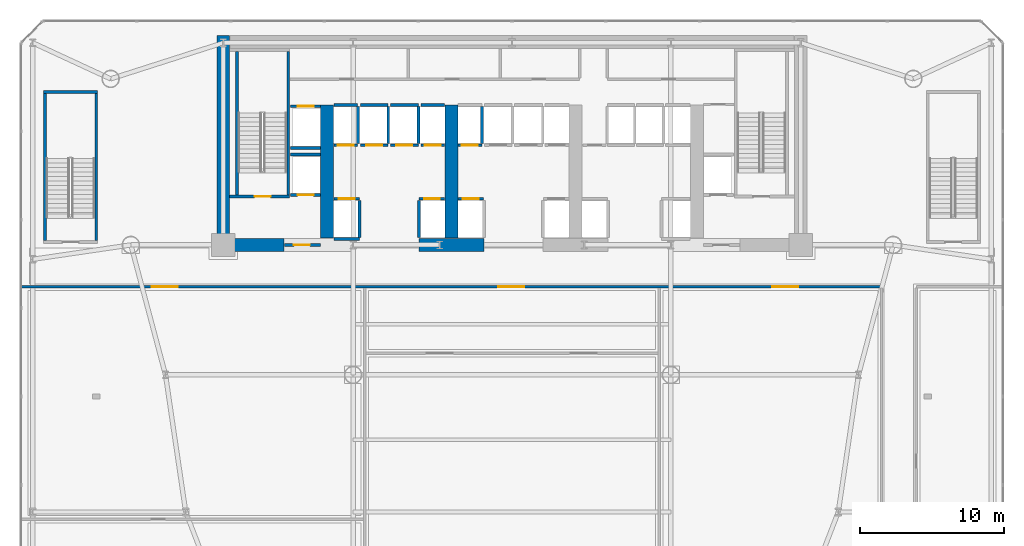
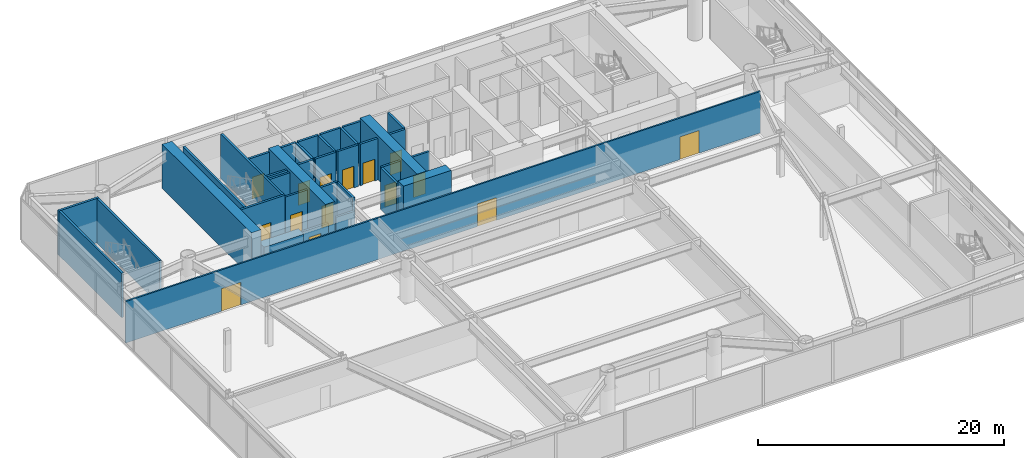
# One storey, part 14 of 24: 36 walls, 15 doors, 15 openings.
"""IFC4 building model written with IfcOpenShell, lengths in metres."""

from ifc_helpers import new_model, si_unit, direction, frame, frame_2d, origin, place, context, subcontext, project, spatial, rectangle, extrude, source, transform, mapped, material, layer, layer_set, type_object, element, fill, save


model = new_model("IFC4")

# Units and contexts
model_context = context("Model", 3, precision=1e-05, world=origin(), true_north=direction((0.0, 1.0)))
body_context = subcontext(model_context, "Body", "Model", "MODEL_VIEW")
ifc_project = project(units=[si_unit("LENGTHUNIT", "METRE"), si_unit("AREAUNIT", "SQUARE_METRE"), si_unit("VOLUMEUNIT", "CUBIC_METRE"), si_unit("PLANEANGLEUNIT", "RADIAN"), si_unit("MASSUNIT", "GRAM", prefix="KILO")], contexts=[model_context])

# Site, building, storey
site_placement = place(None, origin())
site = spatial("IfcSite", under=ifc_project, at=site_placement, CompositionType="ELEMENT")
building_placement = place(site_placement, origin())
building = spatial("IfcBuilding", under=site, at=building_placement, Name="Vaeldorn Concourse Tower", CompositionType="ELEMENT")
storey_placement = place(building_placement, frame((0.0, 0.0, 10.0)))
storey = spatial("IfcBuildingStorey", under=building, at=storey_placement, Name="L02", CompositionType="ELEMENT", Elevation=10.0)

# Walls
ifc_material_1 = material(Name="Concrete C60/75", Category="concrete")
ifc_layer_1 = layer(ifc_material_1, 0.89990234375)
ifc_layer_set_1 = layer_set([ifc_layer_1], Name="Concrete C60/75")
wall_type_1 = type_object("IfcWallType", Name="WL-CORE-900", PredefinedType="SHEAR", material=ifc_layer_set_1)
wall_1_placement = place(storey_placement, frame((14.0, 36.5, 0.0), z_axis=(0.0, 0.0, 1.0), x_axis=(0.0, 1.0, 0.0)))
element("IfcWall", 1, at=wall_1_placement, inside=storey, type_object=wall_type_1, Name="Rear Core Shear Wall L02 W1", PredefinedType="SHEAR", context=body_context, shape_type="SweptSolid", body=[
    extrude(rectangle(XDim=14.5, YDim=0.89990234375, at=frame_2d((7.25, 0.0))), origin(), (0.0, 0.0, 1.0), 4.39990234375),
])
wall_2_placement = place(storey_placement, frame((14.469970703125, 36.5, 0.0), z_axis=(0.0, 0.0, 1.0), x_axis=(1.0, 0.0, 0.0)))
element("IfcWall", 2, at=wall_2_placement, inside=storey, type_object=wall_type_1, Name="Rear Core Shear Wall L02 S1", PredefinedType="SHEAR", context=body_context, shape_type="SweptSolid", body=[
    extrude(rectangle(XDim=3.72998046875, YDim=0.89990234375, at=frame_2d((1.864990234375, 0.0))), origin(), (0.0, 0.0, 1.0), 2.919921875),
])
wall_3_placement = place(storey_placement, frame((27.550048828125, 36.5, 0.0), z_axis=(0.0, 0.0, 1.0), x_axis=(1.0, 0.0, 0.0)))
element("IfcWall", 3, at=wall_3_placement, inside=storey, type_object=wall_type_1, Name="Rear Core Shear Wall L02 S2", PredefinedType="SHEAR", context=body_context, shape_type="SweptSolid", body=[
    extrude(rectangle(XDim=4.5, YDim=0.89990234375, at=frame_2d((2.25, 0.0))), origin(), (0.0, 0.0, 1.0), 4.39990234375),
])
for number, where, z_axis, x_axis, name in (
    (4, (21.199951171875, 36.969970703125, 0.0), (0.0, 0.0, 1.0), (0.0, 1.0, 0.0), "Rear Core Shear Wall L02 M1"),
    (5, (29.800048828125, 36.969970703125, 0.0), (0.0, 0.0, 1.0), (0.0, 1.0, 0.0), "Rear Core Shear Wall L02 M2"),
):
    element("IfcWall", number, at=place(storey_placement, frame(where, z_axis=z_axis, x_axis=x_axis)), inside=storey, type_object=wall_type_1, Name=name, PredefinedType="SHEAR", context=body_context, shape_type="SweptSolid", body=[
        extrude(rectangle(XDim=9.22998046875, YDim=0.89990234375, at=frame_2d((4.614990234375, 0.0))), origin(), (0.0, 0.0, 1.0), 4.39990234375),
    ])

# Wall, openings, doors
ifc_material_2 = material(Name="Gypsum Board Partition", Category="gypsum")
ifc_layer_2 = layer(ifc_material_2, 0.14990234375)
ifc_layer_set_2 = layer_set([ifc_layer_2], Name="Gypsum Board Partition")
wall_type_2 = type_object("IfcWallType", Name="WL-PART-150", PredefinedType="PARTITIONING", material=ifc_layer_set_2)
wall_4_placement = place(storey_placement, frame((0.0400390625, 33.60009765625, 0.0), z_axis=(0.0, 0.0, 1.0), x_axis=(1.0, 0.0, 0.0)))
wall_4 = element("IfcWall", 6, at=wall_4_placement, inside=storey, type_object=wall_type_2, Name="Interior Wall PW-L02-COR", PredefinedType="PARTITIONING", context=body_context, shape_type="SweptSolid", body=[
    extrude(rectangle(XDim=59.56005859375, YDim=0.14990234375, at=frame_2d((29.780029296875, 0.0))), origin(), (0.0, 0.0, 1.0), 4.1201171875),
])
opening_1_placement = place(wall_4_placement, frame((9.0, 0.0, 0.0)))
opening_1 = element("IfcOpeningElement", 7, at=opening_1_placement, cuts=wall_4, Name="Opening D-05", PredefinedType="OPENING", context=body_context, shape_type="SweptSolid", body=[
    extrude(rectangle(XDim=1.800048828125, YDim=2.25, at=frame_2d((0.89990234375, 1.125))), frame((0.0, 0.0849609375, 0.0), z_axis=(0.0, -1.0, 0.0), x_axis=(1.0, 0.0, 0.0)), (0.0, 0.0, 1.0), 0.169921875),
])
opening_2_placement = place(wall_4_placement, frame((33.0, 0.0, 0.0)))
opening_2 = element("IfcOpeningElement", 8, at=opening_2_placement, cuts=wall_4, Name="Opening D-05", PredefinedType="OPENING", context=body_context, shape_type="SweptSolid", body=[
    extrude(rectangle(XDim=1.800048828125, YDim=2.25, at=frame_2d((0.89990234375, 1.125))), frame((0.0, 0.0849609375, 0.0), z_axis=(0.0, -1.0, 0.0), x_axis=(1.0, 0.0, 0.0)), (0.0, 0.0, 1.0), 0.169921875),
])
opening_3_placement = place(wall_4_placement, frame((52.0, 0.0, 0.0)))
opening_3 = element("IfcOpeningElement", 9, at=opening_3_placement, cuts=wall_4, Name="Opening D-05", PredefinedType="OPENING", context=body_context, shape_type="SweptSolid", body=[
    extrude(rectangle(XDim=1.800048828125, YDim=2.25, at=frame_2d((0.89990234375, 1.125))), frame((0.0, 0.0849609375, 0.0), z_axis=(0.0, -1.0, 0.0), x_axis=(1.0, 0.0, 0.0)), (0.0, 0.0, 1.0), 0.169921875),
])
ifc_material_3 = material(Name="Acoustic Bronze-Framed Glass Door", Category="glass")
door_type_1 = type_object("IfcDoorType", Name="DR-DBL-1800", OperationType="DOUBLE_DOOR_SINGLE_SWING", PredefinedType="DOOR", material=ifc_material_3)
shared_shape_1 = source(origin(), body_context, "Body", "SweptSolid", [
    extrude(rectangle(XDim=1.800048828125, YDim=2.25, at=frame_2d((0.89990234375, 1.125))), frame((0.0, 0.02490234375, 0.0), z_axis=(0.0, -1.0, 0.0), x_axis=(1.0, 0.0, 0.0)), (0.0, 0.0, 1.0), 0.050048828125),
])
door_1_placement = place(opening_1_placement, origin())
door_1 = element("IfcDoor", 10, at=door_1_placement, inside=storey, type_object=door_type_1, Name="Interior Door DR-L02-SEM2", OperationType="DOUBLE_DOOR_SINGLE_SWING", OverallHeight=2.25, OverallWidth=1.800048828125, PredefinedType="DOOR", context=body_context, shape_type="MappedRepresentation", body=[
    mapped(shared_shape_1, transform((0.0, 0.0, 0.0), scale=1.0)),
])
fill(opening_1, door_1)
door_2_placement = place(opening_2_placement, origin())
door_2 = element("IfcDoor", 11, at=door_2_placement, inside=storey, type_object=door_type_1, Name="Interior Door DR-L02-FOY", OperationType="DOUBLE_DOOR_SINGLE_SWING", OverallHeight=2.25, OverallWidth=1.800048828125, PredefinedType="DOOR", context=body_context, shape_type="MappedRepresentation", body=[
    mapped(shared_shape_1, transform((0.0, 0.0, 0.0), scale=1.0)),
])
fill(opening_2, door_2)
door_3_placement = place(opening_3_placement, origin())
door_3 = element("IfcDoor", 12, at=door_3_placement, inside=storey, type_object=door_type_1, Name="Interior Door DR-L02-SEM3", OperationType="DOUBLE_DOOR_SINGLE_SWING", OverallHeight=2.25, OverallWidth=1.800048828125, PredefinedType="DOOR", context=body_context, shape_type="MappedRepresentation", body=[
    mapped(shared_shape_1, transform((0.0, 0.0, 0.0), scale=1.0)),
])
fill(opening_3, door_3)

# Wall, opening, door
ifc_material_4 = material(Name="Concrete C50/60", Category="concrete")
ifc_layer_3 = layer(ifc_material_4, 0.199951171875)
ifc_layer_set_3 = layer_set([ifc_layer_3], Name="Concrete C50/60")
wall_type_3 = type_object("IfcWallType", Name="WL-SHAFT-200", PredefinedType="SOLIDWALL", material=ifc_layer_set_3)
wall_5_placement = place(storey_placement, frame((14.449951171875, 39.85009765625, 0.0), z_axis=(0.0, 0.0, 1.0), x_axis=(1.0, 0.0, 0.0)))
wall_5 = element("IfcWall", 13, at=wall_5_placement, inside=storey, type_object=wall_type_3, Name="Stair Shaft Wall CW-L02-ST-1-S", PredefinedType="SOLIDWALL", context=body_context, shape_type="SweptSolid", body=[
    extrude(rectangle(XDim=4.150146484375, YDim=0.199951171875, at=frame_2d((2.0751953125, 0.0))), origin(), (0.0, 0.0, 1.0), 4.39990234375),
])
opening_4_placement = place(wall_5_placement, frame((1.72509765625, 0.0, 0.0)))
opening_4 = element("IfcOpeningElement", 14, at=opening_4_placement, cuts=wall_5, Name="Opening D-01", PredefinedType="OPENING", context=body_context, shape_type="SweptSolid", body=[
    extrude(rectangle(XDim=1.10009765625, YDim=2.14990234375, at=frame_2d((0.550048828125, 1.074951171875))), frame((0.0, 0.10986328125, 0.0), z_axis=(0.0, -1.0, 0.0), x_axis=(1.0, 0.0, 0.0)), (0.0, 0.0, 1.0), 0.219970703125),
])
ifc_material_5 = material(Name="Fire-Rated Timber and Steel Leaf", Category="steel")
door_type_2 = type_object("IfcDoorType", Name="DR-FD60-1100", OperationType="NOTDEFINED", PredefinedType="DOOR", material=ifc_material_5)
shared_shape_2 = source(origin(), body_context, "Body", "SweptSolid", [
    extrude(rectangle(XDim=1.10009765625, YDim=2.14990234375, at=frame_2d((0.550048828125, 1.074951171875))), frame((0.0, 0.02490234375, 0.0), z_axis=(0.0, -1.0, 0.0), x_axis=(1.0, 0.0, 0.0)), (0.0, 0.0, 1.0), 0.050048828125),
])
door_4_placement = place(opening_4_placement, origin())
door_4 = element("IfcDoor", 15, at=door_4_placement, inside=storey, type_object=door_type_2, Name="Interior Door DR-L02-ST-1", OperationType="SINGLE_SWING_LEFT", OverallHeight=2.14990234375, OverallWidth=1.10009765625, PredefinedType="DOOR", context=body_context, shape_type="MappedRepresentation", body=[
    mapped(shared_shape_2, transform((0.0, 0.0, 0.0), scale=1.0)),
])
fill(opening_4, door_4)

# Walls
for number, where, z_axis, x_axis, name in (
    (16, (14.949951171875, 39.9599609375, 0.0), (0.0, 0.0, 1.0), (0.0, 1.0, 0.0), "Stair Shaft Wall CW-L02-ST-1-W"),
    (17, (18.5, 39.9599609375, 0.0), (0.0, 0.0, 1.0), (0.0, 1.0, 0.0), "Stair Shaft Wall CW-L02-ST-1-E"),
):
    element("IfcWall", number, at=place(storey_placement, frame(where, z_axis=z_axis, x_axis=x_axis)), inside=storey, type_object=wall_type_3, Name=name, PredefinedType="SOLIDWALL", context=body_context, shape_type="SweptSolid", body=[
        extrude(rectangle(XDim=9.929931640625, YDim=0.199951171875, at=frame_2d((4.96484375, 0.0))), origin(), (0.0, 0.0, 1.0), 4.39990234375),
    ])

# Wall, opening, door
wall_6_placement = place(storey_placement, frame((18.25, 36.5, 0.0), z_axis=(0.0, 0.0, 1.0), x_axis=(1.0, 0.0, 0.0)))
wall_6 = element("IfcWall", 18, at=wall_6_placement, inside=storey, type_object=wall_type_3, Name="Interior Wall CW-L02-FF1S", PredefinedType="SOLIDWALL", context=body_context, shape_type="SweptSolid", body=[
    extrude(rectangle(XDim=2.469970703125, YDim=0.199951171875, at=frame_2d((1.23486328125, 0.0))), origin(), (0.0, 0.0, 1.0), 2.909912109375),
])
opening_5_placement = place(wall_6_placement, frame((0.64990234375, 0.0, 0.0)))
opening_5 = element("IfcOpeningElement", 19, at=opening_5_placement, cuts=wall_6, Name="Opening D-01", PredefinedType="OPENING", context=body_context, shape_type="SweptSolid", body=[
    extrude(rectangle(XDim=1.10009765625, YDim=2.14990234375, at=frame_2d((0.550048828125, 1.074951171875))), frame((0.0, 0.10986328125, 0.0), z_axis=(0.0, -1.0, 0.0), x_axis=(1.0, 0.0, 0.0)), (0.0, 0.0, 1.0), 0.219970703125),
])
door_5_placement = place(opening_5_placement, origin())
door_5 = element("IfcDoor", 20, at=door_5_placement, inside=storey, type_object=door_type_2, Name="Interior Door DR-L02-FF1E", OperationType="SINGLE_SWING_RIGHT", OverallHeight=2.14990234375, OverallWidth=1.10009765625, PredefinedType="DOOR", context=body_context, shape_type="MappedRepresentation", body=[
    mapped(shared_shape_2, transform((0.0, 0.0, 0.0), scale=1.0)),
])
fill(opening_5, door_5)

wall_7_placement = place(storey_placement, frame((21.659912109375, 39.699951171875, 0.0), z_axis=(0.0, 0.0, 1.0), x_axis=(1.0, 0.0, 0.0)))
wall_7 = element("IfcWall", 21, at=wall_7_placement, inside=storey, type_object=wall_type_3, Name="Interior Wall CW-L02-LF-LF-01", PredefinedType="SOLIDWALL", context=body_context, shape_type="SweptSolid", body=[
    extrude(rectangle(XDim=1.77001953125, YDim=0.199951171875, at=frame_2d((0.885009765625, 0.0))), origin(), (0.0, 0.0, 1.0), 4.1201171875),
])
opening_6_placement = place(wall_7_placement, frame((0.3349609375, 0.0, 0.0)))
opening_6 = element("IfcOpeningElement", 22, at=opening_6_placement, cuts=wall_7, Name="Opening LD-1", PredefinedType="OPENING", context=body_context, shape_type="SweptSolid", body=[
    extrude(rectangle(XDim=1.10009765625, YDim=2.14990234375, at=frame_2d((0.550048828125, 1.074951171875))), frame((0.0, 0.10986328125, 0.0), z_axis=(0.0, -1.0, 0.0), x_axis=(1.0, 0.0, 0.0)), (0.0, 0.0, 1.0), 0.219970703125),
])
ifc_material_6 = material(Name="Anodised Bronze Aluminium", Category="aluminium")
door_type_3 = type_object("IfcDoorType", Name="DR-LIFT-SLIDE-1100", OperationType="DOUBLE_DOOR_SLIDING", PredefinedType="DOOR", material=ifc_material_6)
door_6_placement = place(opening_6_placement, origin())
door_6 = element("IfcDoor", 23, at=door_6_placement, inside=storey, type_object=door_type_3, Name="Lift Landing Door LD-L02-LF-01", OperationType="DOUBLE_DOOR_SLIDING", OverallHeight=2.14990234375, OverallWidth=1.10009765625, PredefinedType="DOOR", context=body_context, shape_type="MappedRepresentation", body=[
    mapped(shared_shape_2, transform((0.0, 0.0, 0.0), scale=1.0)),
])
fill(opening_6, door_6)

# Walls
wall_8_placement = place(storey_placement, frame((21.659912109375, 36.89990234375, 0.0), z_axis=(0.0, 0.0, 1.0), x_axis=(1.0, 0.0, 0.0)))
element("IfcWall", 24, at=wall_8_placement, inside=storey, type_object=wall_type_3, Name="Interior Wall CW-L02-LFB-LF-01", PredefinedType="SOLIDWALL", context=body_context, shape_type="SweptSolid", body=[
    extrude(rectangle(XDim=1.77001953125, YDim=0.199951171875, at=frame_2d((0.885009765625, 0.0))), origin(), (0.0, 0.0, 1.0), 2.909912109375),
])
wall_9_placement = place(storey_placement, frame((23.449951171875, 37.02001953125, 0.0), z_axis=(0.0, 0.0, 1.0), x_axis=(0.0, 1.0, 0.0)))
element("IfcWall", 25, at=wall_9_placement, inside=storey, type_object=wall_type_3, Name="Interior Wall CW-L02-LFE-LF-01", PredefinedType="SOLIDWALL", context=body_context, shape_type="SweptSolid", body=[
    extrude(rectangle(XDim=2.56005859375, YDim=0.199951171875, at=frame_2d((1.280029296875, 0.0))), origin(), (0.0, 0.0, 1.0), 4.1201171875),
])

# Wall, opening, door
wall_10_placement = place(storey_placement, frame((27.570068359375, 39.699951171875, 0.0), z_axis=(0.0, 0.0, 1.0), x_axis=(1.0, 0.0, 0.0)))
wall_10 = element("IfcWall", 26, at=wall_10_placement, inside=storey, type_object=wall_type_3, Name="Interior Wall CW-L02-LF-LF-02", PredefinedType="SOLIDWALL", context=body_context, shape_type="SweptSolid", body=[
    extrude(rectangle(XDim=1.77001953125, YDim=0.199951171875, at=frame_2d((0.885009765625, 0.0))), origin(), (0.0, 0.0, 1.0), 4.1201171875),
])
opening_7_placement = place(wall_10_placement, frame((0.3349609375, 0.0, 0.0)))
opening_7 = element("IfcOpeningElement", 27, at=opening_7_placement, cuts=wall_10, Name="Opening LD-1", PredefinedType="OPENING", context=body_context, shape_type="SweptSolid", body=[
    extrude(rectangle(XDim=1.10009765625, YDim=2.14990234375, at=frame_2d((0.550048828125, 1.074951171875))), frame((0.0, 0.10986328125, 0.0), z_axis=(0.0, -1.0, 0.0), x_axis=(1.0, 0.0, 0.0)), (0.0, 0.0, 1.0), 0.219970703125),
])
door_7_placement = place(opening_7_placement, origin())
door_7 = element("IfcDoor", 28, at=door_7_placement, inside=storey, type_object=door_type_3, Name="Lift Landing Door LD-L02-LF-02", OperationType="DOUBLE_DOOR_SLIDING", OverallHeight=2.14990234375, OverallWidth=1.10009765625, PredefinedType="DOOR", context=body_context, shape_type="MappedRepresentation", body=[
    mapped(shared_shape_2, transform((0.0, 0.0, 0.0), scale=1.0)),
])
fill(opening_7, door_7)

# Wall
wall_11_placement = place(storey_placement, frame((27.550048828125, 37.02001953125, 0.0), z_axis=(0.0, 0.0, 1.0), x_axis=(0.0, 1.0, 0.0)))
element("IfcWall", 29, at=wall_11_placement, inside=storey, type_object=wall_type_3, Name="Interior Wall CW-L02-LFW-LF-02", PredefinedType="SOLIDWALL", context=body_context, shape_type="SweptSolid", body=[
    extrude(rectangle(XDim=2.56005859375, YDim=0.199951171875, at=frame_2d((1.280029296875, 0.0))), origin(), (0.0, 0.0, 1.0), 4.1201171875),
])

# Wall, opening, door
wall_12_placement = place(storey_placement, frame((21.659912109375, 43.39990234375, 0.0), z_axis=(0.0, 0.0, 1.0), x_axis=(1.0, 0.0, 0.0)))
wall_12 = element("IfcWall", 30, at=wall_12_placement, inside=storey, type_object=wall_type_3, Name="Interior Wall CW-L02-LF-LF-03", PredefinedType="SOLIDWALL", context=body_context, shape_type="SweptSolid", body=[
    extrude(rectangle(XDim=1.650146484375, YDim=0.199951171875, at=frame_2d((0.8251953125, 0.0))), origin(), (0.0, 0.0, 1.0), 4.1201171875),
])
opening_8_placement = place(wall_12_placement, frame((0.27490234375, 0.0, 0.0)))
opening_8 = element("IfcOpeningElement", 31, at=opening_8_placement, cuts=wall_12, Name="Opening LD-1", PredefinedType="OPENING", context=body_context, shape_type="SweptSolid", body=[
    extrude(rectangle(XDim=1.10009765625, YDim=2.14990234375, at=frame_2d((0.550048828125, 1.074951171875))), frame((0.0, 0.10986328125, 0.0), z_axis=(0.0, -1.0, 0.0), x_axis=(1.0, 0.0, 0.0)), (0.0, 0.0, 1.0), 0.219970703125),
])
door_8_placement = place(opening_8_placement, origin())
door_8 = element("IfcDoor", 32, at=door_8_placement, inside=storey, type_object=door_type_3, Name="Lift Landing Door LD-L02-LF-03", OperationType="DOUBLE_DOOR_SLIDING", OverallHeight=2.14990234375, OverallWidth=1.10009765625, PredefinedType="DOOR", context=body_context, shape_type="MappedRepresentation", body=[
    mapped(shared_shape_2, transform((0.0, 0.0, 0.0), scale=1.0)),
])
fill(opening_8, door_8)

# Walls
wall_13_placement = place(storey_placement, frame((21.659912109375, 46.199951171875, 0.0), z_axis=(0.0, 0.0, 1.0), x_axis=(1.0, 0.0, 0.0)))
element("IfcWall", 33, at=wall_13_placement, inside=storey, type_object=wall_type_3, Name="Interior Wall CW-L02-LFB-LF-03", PredefinedType="SOLIDWALL", context=body_context, shape_type="SweptSolid", body=[
    extrude(rectangle(XDim=1.650146484375, YDim=0.199951171875, at=frame_2d((0.8251953125, 0.0))), origin(), (0.0, 0.0, 1.0), 4.1201171875),
])
wall_14_placement = place(storey_placement, frame((23.330078125, 43.52001953125, 0.0), z_axis=(0.0, 0.0, 1.0), x_axis=(0.0, 1.0, 0.0)))
element("IfcWall", 34, at=wall_14_placement, inside=storey, type_object=wall_type_3, Name="Interior Wall CW-L02-LFE-LF-03", PredefinedType="SOLIDWALL", context=body_context, shape_type="SweptSolid", body=[
    extrude(rectangle(XDim=2.56005859375, YDim=0.199951171875, at=frame_2d((1.280029296875, 0.0))), origin(), (0.0, 0.0, 1.0), 4.1201171875),
])

# Wall, opening, door
wall_15_placement = place(storey_placement, frame((23.489990234375, 43.39990234375, 0.0), z_axis=(0.0, 0.0, 1.0), x_axis=(1.0, 0.0, 0.0)))
wall_15 = element("IfcWall", 35, at=wall_15_placement, inside=storey, type_object=wall_type_3, Name="Interior Wall CW-L02-LF-LF-04", PredefinedType="SOLIDWALL", context=body_context, shape_type="SweptSolid", body=[
    extrude(rectangle(XDim=1.919921875, YDim=0.199951171875, at=frame_2d((0.9599609375, 0.0))), origin(), (0.0, 0.0, 1.0), 4.1201171875),
])
opening_9_placement = place(wall_15_placement, frame((0.409912109375, 0.0, 0.0)))
opening_9 = element("IfcOpeningElement", 36, at=opening_9_placement, cuts=wall_15, Name="Opening LD-1", PredefinedType="OPENING", context=body_context, shape_type="SweptSolid", body=[
    extrude(rectangle(XDim=1.10009765625, YDim=2.14990234375, at=frame_2d((0.550048828125, 1.074951171875))), frame((0.0, 0.10986328125, 0.0), z_axis=(0.0, -1.0, 0.0), x_axis=(1.0, 0.0, 0.0)), (0.0, 0.0, 1.0), 0.219970703125),
])
door_9_placement = place(opening_9_placement, origin())
door_9 = element("IfcDoor", 37, at=door_9_placement, inside=storey, type_object=door_type_3, Name="Lift Landing Door LD-L02-LF-04", OperationType="DOUBLE_DOOR_SLIDING", OverallHeight=2.14990234375, OverallWidth=1.10009765625, PredefinedType="DOOR", context=body_context, shape_type="MappedRepresentation", body=[
    mapped(shared_shape_2, transform((0.0, 0.0, 0.0), scale=1.0)),
])
fill(opening_9, door_9)

# Walls
wall_16_placement = place(storey_placement, frame((23.489990234375, 46.199951171875, 0.0), z_axis=(0.0, 0.0, 1.0), x_axis=(1.0, 0.0, 0.0)))
element("IfcWall", 38, at=wall_16_placement, inside=storey, type_object=wall_type_3, Name="Interior Wall CW-L02-LFB-LF-04", PredefinedType="SOLIDWALL", context=body_context, shape_type="SweptSolid", body=[
    extrude(rectangle(XDim=1.919921875, YDim=0.199951171875, at=frame_2d((0.9599609375, 0.0))), origin(), (0.0, 0.0, 1.0), 4.1201171875),
])
wall_17_placement = place(storey_placement, frame((25.429931640625, 43.52001953125, 0.0), z_axis=(0.0, 0.0, 1.0), x_axis=(0.0, 1.0, 0.0)))
element("IfcWall", 39, at=wall_17_placement, inside=storey, type_object=wall_type_3, Name="Interior Wall CW-L02-LFE-LF-04", PredefinedType="SOLIDWALL", context=body_context, shape_type="SweptSolid", body=[
    extrude(rectangle(XDim=2.56005859375, YDim=0.199951171875, at=frame_2d((1.280029296875, 0.0))), origin(), (0.0, 0.0, 1.0), 4.1201171875),
])

# Wall, opening, door
wall_18_placement = place(storey_placement, frame((25.590087890625, 43.39990234375, 0.0), z_axis=(0.0, 0.0, 1.0), x_axis=(1.0, 0.0, 0.0)))
wall_18 = element("IfcWall", 40, at=wall_18_placement, inside=storey, type_object=wall_type_3, Name="Interior Wall CW-L02-LF-LF-05", PredefinedType="SOLIDWALL", context=body_context, shape_type="SweptSolid", body=[
    extrude(rectangle(XDim=1.919921875, YDim=0.199951171875, at=frame_2d((0.9599609375, 0.0))), origin(), (0.0, 0.0, 1.0), 4.1201171875),
])
opening_10_placement = place(wall_18_placement, frame((0.409912109375, 0.0, 0.0)))
opening_10 = element("IfcOpeningElement", 41, at=opening_10_placement, cuts=wall_18, Name="Opening LD-1", PredefinedType="OPENING", context=body_context, shape_type="SweptSolid", body=[
    extrude(rectangle(XDim=1.10009765625, YDim=2.14990234375, at=frame_2d((0.550048828125, 1.074951171875))), frame((0.0, 0.10986328125, 0.0), z_axis=(0.0, -1.0, 0.0), x_axis=(1.0, 0.0, 0.0)), (0.0, 0.0, 1.0), 0.219970703125),
])
door_10_placement = place(opening_10_placement, origin())
door_10 = element("IfcDoor", 42, at=door_10_placement, inside=storey, type_object=door_type_3, Name="Lift Landing Door LD-L02-LF-05", OperationType="DOUBLE_DOOR_SLIDING", OverallHeight=2.14990234375, OverallWidth=1.10009765625, PredefinedType="DOOR", context=body_context, shape_type="MappedRepresentation", body=[
    mapped(shared_shape_2, transform((0.0, 0.0, 0.0), scale=1.0)),
])
fill(opening_10, door_10)

# Walls
wall_19_placement = place(storey_placement, frame((25.590087890625, 46.199951171875, 0.0), z_axis=(0.0, 0.0, 1.0), x_axis=(1.0, 0.0, 0.0)))
element("IfcWall", 43, at=wall_19_placement, inside=storey, type_object=wall_type_3, Name="Interior Wall CW-L02-LFB-LF-05", PredefinedType="SOLIDWALL", context=body_context, shape_type="SweptSolid", body=[
    extrude(rectangle(XDim=1.919921875, YDim=0.199951171875, at=frame_2d((0.9599609375, 0.0))), origin(), (0.0, 0.0, 1.0), 4.1201171875),
])
wall_20_placement = place(storey_placement, frame((27.530029296875, 43.52001953125, 0.0), z_axis=(0.0, 0.0, 1.0), x_axis=(0.0, 1.0, 0.0)))
element("IfcWall", 44, at=wall_20_placement, inside=storey, type_object=wall_type_3, Name="Interior Wall CW-L02-LFE-LF-05", PredefinedType="SOLIDWALL", context=body_context, shape_type="SweptSolid", body=[
    extrude(rectangle(XDim=2.56005859375, YDim=0.199951171875, at=frame_2d((1.280029296875, 0.0))), origin(), (0.0, 0.0, 1.0), 4.1201171875),
])

# Wall, opening, door
wall_21_placement = place(storey_placement, frame((27.68994140625, 43.39990234375, 0.0), z_axis=(0.0, 0.0, 1.0), x_axis=(1.0, 0.0, 0.0)))
wall_21 = element("IfcWall", 45, at=wall_21_placement, inside=storey, type_object=wall_type_3, Name="Interior Wall CW-L02-LF-LF-06", PredefinedType="SOLIDWALL", context=body_context, shape_type="SweptSolid", body=[
    extrude(rectangle(XDim=1.650146484375, YDim=0.199951171875, at=frame_2d((0.8251953125, 0.0))), origin(), (0.0, 0.0, 1.0), 4.1201171875),
])
opening_11_placement = place(wall_21_placement, frame((0.27490234375, 0.0, 0.0)))
opening_11 = element("IfcOpeningElement", 46, at=opening_11_placement, cuts=wall_21, Name="Opening LD-1", PredefinedType="OPENING", context=body_context, shape_type="SweptSolid", body=[
    extrude(rectangle(XDim=1.10009765625, YDim=2.14990234375, at=frame_2d((0.550048828125, 1.074951171875))), frame((0.0, 0.10986328125, 0.0), z_axis=(0.0, -1.0, 0.0), x_axis=(1.0, 0.0, 0.0)), (0.0, 0.0, 1.0), 0.219970703125),
])
door_11_placement = place(opening_11_placement, origin())
door_11 = element("IfcDoor", 47, at=door_11_placement, inside=storey, type_object=door_type_3, Name="Lift Landing Door LD-L02-LF-06", OperationType="DOUBLE_DOOR_SLIDING", OverallHeight=2.14990234375, OverallWidth=1.10009765625, PredefinedType="DOOR", context=body_context, shape_type="MappedRepresentation", body=[
    mapped(shared_shape_2, transform((0.0, 0.0, 0.0), scale=1.0)),
])
fill(opening_11, door_11)

# Wall
wall_22_placement = place(storey_placement, frame((27.68994140625, 46.199951171875, 0.0), z_axis=(0.0, 0.0, 1.0), x_axis=(1.0, 0.0, 0.0)))
element("IfcWall", 48, at=wall_22_placement, inside=storey, type_object=wall_type_3, Name="Interior Wall CW-L02-LFB-LF-06", PredefinedType="SOLIDWALL", context=body_context, shape_type="SweptSolid", body=[
    extrude(rectangle(XDim=1.650146484375, YDim=0.199951171875, at=frame_2d((0.8251953125, 0.0))), origin(), (0.0, 0.0, 1.0), 4.1201171875),
])

# Wall, opening, door
wall_23_placement = place(storey_placement, frame((30.260009765625, 39.699951171875, 0.0), z_axis=(0.0, 0.0, 1.0), x_axis=(1.0, 0.0, 0.0)))
wall_23 = element("IfcWall", 49, at=wall_23_placement, inside=storey, type_object=wall_type_3, Name="Interior Wall CW-L02-LF-LF-07", PredefinedType="SOLIDWALL", context=body_context, shape_type="SweptSolid", body=[
    extrude(rectangle(XDim=1.77001953125, YDim=0.199951171875, at=frame_2d((0.885009765625, 0.0))), origin(), (0.0, 0.0, 1.0), 4.1201171875),
])
opening_12_placement = place(wall_23_placement, frame((0.3349609375, 0.0, 0.0)))
opening_12 = element("IfcOpeningElement", 50, at=opening_12_placement, cuts=wall_23, Name="Opening LD-1", PredefinedType="OPENING", context=body_context, shape_type="SweptSolid", body=[
    extrude(rectangle(XDim=1.10009765625, YDim=2.14990234375, at=frame_2d((0.550048828125, 1.074951171875))), frame((0.0, 0.10986328125, 0.0), z_axis=(0.0, -1.0, 0.0), x_axis=(1.0, 0.0, 0.0)), (0.0, 0.0, 1.0), 0.219970703125),
])
door_12_placement = place(opening_12_placement, origin())
door_12 = element("IfcDoor", 51, at=door_12_placement, inside=storey, type_object=door_type_3, Name="Lift Landing Door LD-L02-LF-07", OperationType="DOUBLE_DOOR_SLIDING", OverallHeight=2.14990234375, OverallWidth=1.10009765625, PredefinedType="DOOR", context=body_context, shape_type="MappedRepresentation", body=[
    mapped(shared_shape_2, transform((0.0, 0.0, 0.0), scale=1.0)),
])
fill(opening_12, door_12)

wall_24_placement = place(storey_placement, frame((30.260009765625, 43.39990234375, 0.0), z_axis=(0.0, 0.0, 1.0), x_axis=(1.0, 0.0, 0.0)))
wall_24 = element("IfcWall", 52, at=wall_24_placement, inside=storey, type_object=wall_type_3, Name="Interior Wall CW-L02-LF-LF-09", PredefinedType="SOLIDWALL", context=body_context, shape_type="SweptSolid", body=[
    extrude(rectangle(XDim=1.64990234375, YDim=0.199951171875, at=frame_2d((0.824951171875, 0.0))), origin(), (0.0, 0.0, 1.0), 4.1201171875),
])
opening_13_placement = place(wall_24_placement, frame((0.27490234375, 0.0, 0.0)))
opening_13 = element("IfcOpeningElement", 53, at=opening_13_placement, cuts=wall_24, Name="Opening LD-1", PredefinedType="OPENING", context=body_context, shape_type="SweptSolid", body=[
    extrude(rectangle(XDim=1.10009765625, YDim=2.14990234375, at=frame_2d((0.550048828125, 1.074951171875))), frame((0.0, 0.10986328125, 0.0), z_axis=(0.0, -1.0, 0.0), x_axis=(1.0, 0.0, 0.0)), (0.0, 0.0, 1.0), 0.219970703125),
])
door_13_placement = place(opening_13_placement, origin())
door_13 = element("IfcDoor", 54, at=door_13_placement, inside=storey, type_object=door_type_3, Name="Lift Landing Door LD-L02-LF-09", OperationType="DOUBLE_DOOR_SLIDING", OverallHeight=2.14990234375, OverallWidth=1.10009765625, PredefinedType="DOOR", context=body_context, shape_type="MappedRepresentation", body=[
    mapped(shared_shape_2, transform((0.0, 0.0, 0.0), scale=1.0)),
])
fill(opening_13, door_13)

# Wall
wall_25_placement = place(storey_placement, frame((31.929931640625, 43.52001953125, 0.0), z_axis=(0.0, 0.0, 1.0), x_axis=(0.0, 1.0, 0.0)))
element("IfcWall", 55, at=wall_25_placement, inside=storey, type_object=wall_type_3, Name="Interior Wall CW-L02-LFE-LF-09", PredefinedType="SOLIDWALL", context=body_context, shape_type="SweptSolid", body=[
    extrude(rectangle(XDim=2.56005859375, YDim=0.199951171875, at=frame_2d((1.280029296875, 0.0))), origin(), (0.0, 0.0, 1.0), 4.1201171875),
])

# Wall, opening, door
wall_26_placement = place(storey_placement, frame((18.669921875, 46.10009765625, 0.0), z_axis=(0.0, 0.0, 1.0), x_axis=(1.0, 0.0, 0.0)))
wall_26 = element("IfcWall", 56, at=wall_26_placement, inside=storey, type_object=wall_type_3, Name="Interior Wall CW-L02-LF-LF-SV1", PredefinedType="SOLIDWALL", context=body_context, shape_type="SweptSolid", body=[
    extrude(rectangle(XDim=2.070068359375, YDim=0.199951171875, at=frame_2d((1.03515625, 0.0))), origin(), (0.0, 0.0, 1.0), 4.1201171875),
])
opening_14_placement = place(wall_26_placement, frame((0.485107421875, 0.0, 0.0)))
opening_14 = element("IfcOpeningElement", 57, at=opening_14_placement, cuts=wall_26, Name="Opening LD-1", PredefinedType="OPENING", context=body_context, shape_type="SweptSolid", body=[
    extrude(rectangle(XDim=1.10009765625, YDim=2.14990234375, at=frame_2d((0.550048828125, 1.074951171875))), frame((0.0, 0.10986328125, 0.0), z_axis=(0.0, -1.0, 0.0), x_axis=(1.0, 0.0, 0.0)), (0.0, 0.0, 1.0), 0.219970703125),
])
door_14_placement = place(opening_14_placement, origin())
door_14 = element("IfcDoor", 58, at=door_14_placement, inside=storey, type_object=door_type_3, Name="Lift Landing Door LD-L02-LF-SV1", OperationType="DOUBLE_DOOR_SLIDING", OverallHeight=2.14990234375, OverallWidth=1.10009765625, PredefinedType="DOOR", context=body_context, shape_type="MappedRepresentation", body=[
    mapped(shared_shape_2, transform((0.0, 0.0, 0.0), scale=1.0)),
])
fill(opening_14, door_14)

# Wall
wall_27_placement = place(storey_placement, frame((18.669921875, 43.199951171875, 0.0), z_axis=(0.0, 0.0, 1.0), x_axis=(1.0, 0.0, 0.0)))
element("IfcWall", 59, at=wall_27_placement, inside=storey, type_object=wall_type_3, Name="Interior Wall CW-L02-LFB-LF-SV1", PredefinedType="SOLIDWALL", context=body_context, shape_type="SweptSolid", body=[
    extrude(rectangle(XDim=2.070068359375, YDim=0.199951171875, at=frame_2d((1.03515625, 0.0))), origin(), (0.0, 0.0, 1.0), 4.1201171875),
])

# Wall, opening, door
wall_28_placement = place(storey_placement, frame((18.669921875, 39.949951171875, 0.0), z_axis=(0.0, 0.0, 1.0), x_axis=(1.0, 0.0, 0.0)))
wall_28 = element("IfcWall", 60, at=wall_28_placement, inside=storey, type_object=wall_type_3, Name="Interior Wall CW-L02-LF-LF-FF1", PredefinedType="SOLIDWALL", context=body_context, shape_type="SweptSolid", body=[
    extrude(rectangle(XDim=2.070068359375, YDim=0.199951171875, at=frame_2d((1.03515625, 0.0))), origin(), (0.0, 0.0, 1.0), 4.1201171875),
])
opening_15_placement = place(wall_28_placement, frame((0.485107421875, 0.0, 0.0)))
opening_15 = element("IfcOpeningElement", 61, at=opening_15_placement, cuts=wall_28, Name="Opening LD-1", PredefinedType="OPENING", context=body_context, shape_type="SweptSolid", body=[
    extrude(rectangle(XDim=1.10009765625, YDim=2.14990234375, at=frame_2d((0.550048828125, 1.074951171875))), frame((0.0, 0.10986328125, 0.0), z_axis=(0.0, -1.0, 0.0), x_axis=(1.0, 0.0, 0.0)), (0.0, 0.0, 1.0), 0.219970703125),
])
door_15_placement = place(opening_15_placement, origin())
door_15 = element("IfcDoor", 62, at=door_15_placement, inside=storey, type_object=door_type_3, Name="Lift Landing Door LD-L02-LF-FF1", OperationType="DOUBLE_DOOR_SLIDING", OverallHeight=2.14990234375, OverallWidth=1.10009765625, PredefinedType="DOOR", context=body_context, shape_type="MappedRepresentation", body=[
    mapped(shared_shape_2, transform((0.0, 0.0, 0.0), scale=1.0)),
])
fill(opening_15, door_15)

# Walls
wall_29_placement = place(storey_placement, frame((18.669921875, 42.75, 0.0), z_axis=(0.0, 0.0, 1.0), x_axis=(1.0, 0.0, 0.0)))
element("IfcWall", 63, at=wall_29_placement, inside=storey, type_object=wall_type_3, Name="Interior Wall CW-L02-LFB-LF-FF1", PredefinedType="SOLIDWALL", context=body_context, shape_type="SweptSolid", body=[
    extrude(rectangle(XDim=2.070068359375, YDim=0.199951171875, at=frame_2d((1.03515625, 0.0))), origin(), (0.0, 0.0, 1.0), 4.1201171875),
])
wall_30_placement = place(storey_placement, frame((1.550048828125, 47.10009765625, 0.0), z_axis=(0.0, 0.0, 1.0), x_axis=(1.0, 0.0, 0.0)))
element("IfcWall", 64, at=wall_30_placement, inside=storey, type_object=wall_type_3, Name="Stair Shaft Wall CW-L02-ST-3-N", PredefinedType="SOLIDWALL", context=body_context, shape_type="SweptSolid", body=[
    extrude(rectangle(XDim=3.75, YDim=0.199951171875, at=frame_2d((1.875, 0.0))), origin(), (0.0, 0.0, 1.0), 4.39990234375),
])
for number, where, z_axis, x_axis, name in (
    (65, (1.64990234375, 36.81005859375, 0.0), (0.0, 0.0, 1.0), (0.0, 1.0, 0.0), "Stair Shaft Wall CW-L02-ST-3-W"),
    (66, (5.199951171875, 36.81005859375, 0.0), (0.0, 0.0, 1.0), (0.0, 1.0, 0.0), "Stair Shaft Wall CW-L02-ST-3-E"),
):
    element("IfcWall", number, at=place(storey_placement, frame(where, z_axis=z_axis, x_axis=x_axis)), inside=storey, type_object=wall_type_3, Name=name, PredefinedType="SOLIDWALL", context=body_context, shape_type="SweptSolid", body=[
        extrude(rectangle(XDim=10.179931640625, YDim=0.199951171875, at=frame_2d((5.08984375, 0.0))), origin(), (0.0, 0.0, 1.0), 4.39990234375),
    ])

save(model, "model.ifc")
